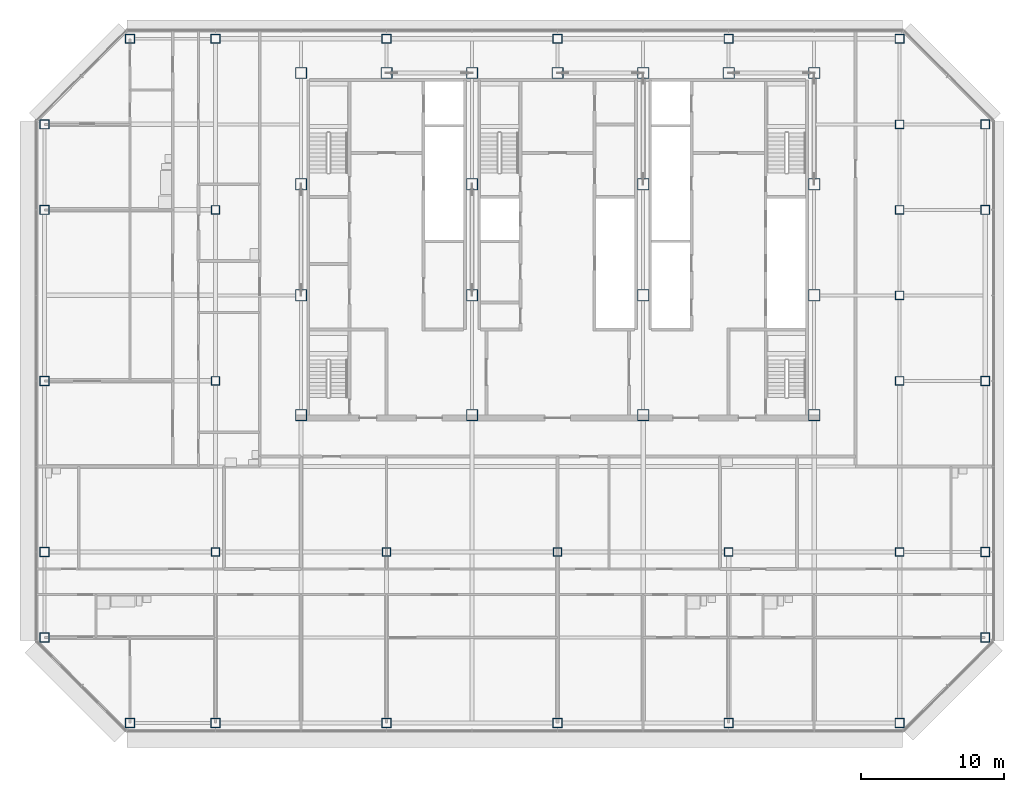
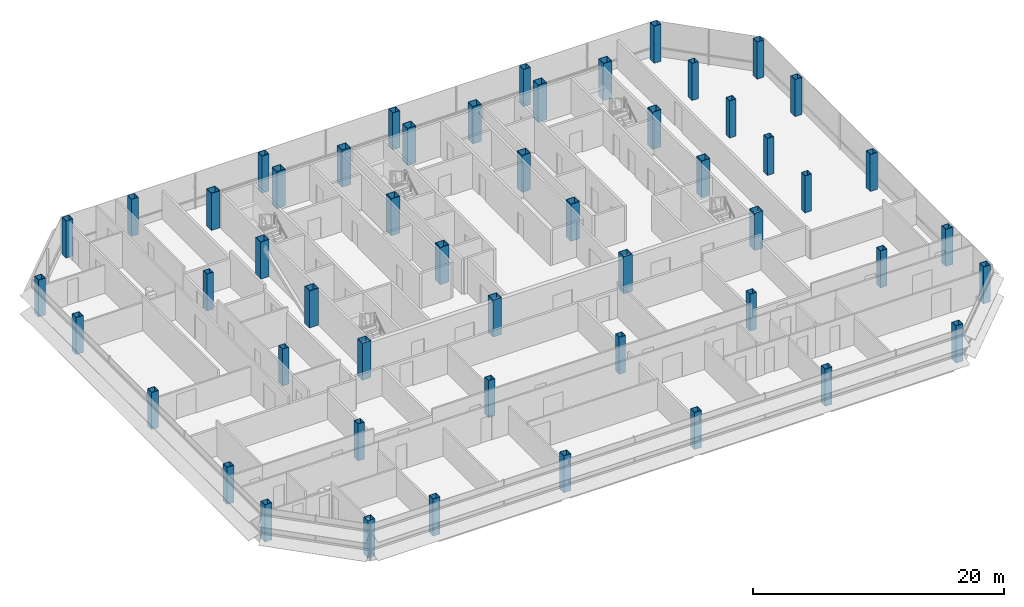
# One storey, part 1 of 27: 52 columns.
"""IFC4 building model written with IfcOpenShell, lengths in metres."""

from ifc_helpers import new_model, si_unit, direction, frame, origin, origin_2d, place, context, subcontext, project, spatial, hollow_rectangle, extrude, material, material_profile, profile_set, type_object, element, save


model = new_model("IFC4")

# Units and contexts
model_context = context("Model", 3, precision=1e-05, world=origin(), true_north=direction((0.0, 1.0)))
body_context = subcontext(model_context, "Body", "Model", "MODEL_VIEW")
ifc_project = project(units=[si_unit("LENGTHUNIT", "METRE"), si_unit("AREAUNIT", "SQUARE_METRE"), si_unit("VOLUMEUNIT", "CUBIC_METRE"), si_unit("PLANEANGLEUNIT", "RADIAN"), si_unit("MASSUNIT", "GRAM", prefix="KILO")], contexts=[model_context])

# Site, building, storey
site_placement = place(None, origin())
site = spatial("IfcSite", under=ifc_project, at=site_placement, CompositionType="ELEMENT")
building_placement = place(site_placement, origin())
building = spatial("IfcBuilding", under=site, at=building_placement, Name="Sorahane Residences", CompositionType="ELEMENT")
storey_placement = place(building_placement, frame((0.0, 0.0, 239.60009765625)))
storey = spatial("IfcBuildingStorey", under=building, at=storey_placement, Name="L56", CompositionType="ELEMENT", Elevation=239.60009765625)

# Columns
ifc_material_1 = material(Name="Steel Q355B", Category="steel")
ifc_material_profile_1 = material_profile(ifc_material_1, hollow_rectangle(XDim=0.60009765625, YDim=0.60009765625, WallThickness=0.028076171875, at=origin_2d()), Name="BOX 600x600x28")
ifc_profile_set_1 = profile_set([ifc_material_profile_1], Name="Steel Q355B")
column_type_1 = type_object("IfcColumnType", Name="Steel box column BOX 600x600x28 Q355B", PredefinedType="COLUMN", material=ifc_profile_set_1)
for number, where, z_axis, x_axis, name in (
    (1, (0.0, 12.0, 0.0), (0.0, 0.0, 1.0), (1.0, 0.0, 0.0), "Column L56 0/12"),
    (2, (0.0, 24.0, 0.0), (0.0, 0.0, 1.0), (1.0, 0.0, 0.0), "Column L56 0/24"),
    (3, (0.0, 36.0, 0.0), (0.0, 0.0, 1.0), (1.0, 0.0, 0.0), "Column L56 0/36"),
    (4, (12.0, 12.0, 0.0), (0.0, 0.0, 1.0), (1.0, 0.0, 0.0), "Column L56 12/12"),
    (5, (24.0, 12.0, 0.0), (0.0, 0.0, 1.0), (1.0, 0.0, 0.0), "Column L56 24/12"),
    (6, (36.0, 12.0, 0.0), (0.0, 0.0, 1.0), (1.0, 0.0, 0.0), "Column L56 36/12"),
    (7, (48.0, 12.0, 0.0), (0.0, 0.0, 1.0), (1.0, 0.0, 0.0), "Column L56 48/12"),
    (8, (48.0, 24.0, 0.0), (0.0, 0.0, 1.0), (1.0, 0.0, 0.0), "Column L56 48/24"),
    (9, (48.0, 30.0, 0.0), (0.0, 0.0, 1.0), (1.0, 0.0, 0.0), "Column L56 48/30"),
    (10, (48.0, 36.0, 0.0), (0.0, 0.0, 1.0), (1.0, 0.0, 0.0), "Column L56 48/36"),
    (11, (48.0, 42.0, 0.0), (0.0, 0.0, 1.0), (1.0, 0.0, 0.0), "Column L56 48/42"),
):
    element("IfcColumn", number, at=place(storey_placement, frame(where, z_axis=z_axis, x_axis=x_axis)), inside=storey, type_object=column_type_1, Name=name, PredefinedType="COLUMN", context=body_context, shape_type="SweptSolid", body=[
        extrude(hollow_rectangle(XDim=0.60009765625, YDim=0.60009765625, WallThickness=0.028076171875, at=origin_2d()), origin(), (0.0, 0.0, 1.0), 3.599853515625),
    ])
ifc_material_2 = material(Name="Steel Q355B", Category="steel")
ifc_material_profile_2 = material_profile(ifc_material_2, hollow_rectangle(XDim=0.64990234375, YDim=0.64990234375, WallThickness=0.031982421875, at=origin_2d()), Name="BOX 650x650x32")
ifc_profile_set_2 = profile_set([ifc_material_profile_2], Name="Steel Q355B")
column_type_2 = type_object("IfcColumnType", Name="Steel box column BOX 650x650x32 Q355B", PredefinedType="COLUMN", material=ifc_profile_set_2)
for number, where, z_axis, x_axis, name in (
    (12, (-12.0, 6.0, 0.0), (0.0, 0.0, 1.0), (1.0, 0.0, 0.0), "Column L56 m12/6"),
    (13, (-12.0, 12.0, 0.0), (0.0, 0.0, 1.0), (1.0, 0.0, 0.0), "Column L56 m12/12"),
    (14, (-12.0, 24.0, 0.0), (0.0, 0.0, 1.0), (1.0, 0.0, 0.0), "Column L56 m12/24"),
    (15, (-12.0, 36.0, 0.0), (0.0, 0.0, 1.0), (1.0, 0.0, 0.0), "Column L56 m12/36"),
    (16, (-12.0, 42.0, 0.0), (0.0, 0.0, 1.0), (1.0, 0.0, 0.0), "Column L56 m12/42"),
    (17, (-6.0, 0.0, 0.0), (0.0, 0.0, 1.0), (1.0, 0.0, 0.0), "Column L56 m6/0"),
    (18, (-6.0, 48.0, 0.0), (0.0, 0.0, 1.0), (1.0, 0.0, 0.0), "Column L56 m6/48"),
    (19, (0.0, 0.0, 0.0), (0.0, 0.0, 1.0), (1.0, 0.0, 0.0), "Column L56 0/0"),
    (20, (0.0, 48.0, 0.0), (0.0, 0.0, 1.0), (1.0, 0.0, 0.0), "Column L56 0/48"),
    (21, (12.0, 0.0, 0.0), (0.0, 0.0, 1.0), (1.0, 0.0, 0.0), "Column L56 12/0"),
    (22, (12.0, 48.0, 0.0), (0.0, 0.0, 1.0), (1.0, 0.0, 0.0), "Column L56 12/48"),
    (23, (24.0, 0.0, 0.0), (0.0, 0.0, 1.0), (1.0, 0.0, 0.0), "Column L56 24/0"),
    (24, (24.0, 48.0, 0.0), (0.0, 0.0, 1.0), (1.0, 0.0, 0.0), "Column L56 24/48"),
    (25, (36.0, 0.0, 0.0), (0.0, 0.0, 1.0), (1.0, 0.0, 0.0), "Column L56 36/0"),
    (26, (36.0, 48.0, 0.0), (0.0, 0.0, 1.0), (1.0, 0.0, 0.0), "Column L56 36/48"),
    (27, (48.0, 0.0, 0.0), (0.0, 0.0, 1.0), (1.0, 0.0, 0.0), "Column L56 48/0"),
    (28, (48.0, 48.0, 0.0), (0.0, 0.0, 1.0), (1.0, 0.0, 0.0), "Column L56 48/48"),
    (29, (54.0, 6.0, 0.0), (0.0, 0.0, 1.0), (1.0, 0.0, 0.0), "Column L56 54/6"),
    (30, (54.0, 12.0, 0.0), (0.0, 0.0, 1.0), (1.0, 0.0, 0.0), "Column L56 54/12"),
    (31, (54.0, 24.0, 0.0), (0.0, 0.0, 1.0), (1.0, 0.0, 0.0), "Column L56 54/24"),
    (32, (54.0, 36.0, 0.0), (0.0, 0.0, 1.0), (1.0, 0.0, 0.0), "Column L56 54/36"),
    (33, (54.0, 42.0, 0.0), (0.0, 0.0, 1.0), (1.0, 0.0, 0.0), "Column L56 54/42"),
):
    element("IfcColumn", number, at=place(storey_placement, frame(where, z_axis=z_axis, x_axis=x_axis)), inside=storey, type_object=column_type_2, Name=name, PredefinedType="COLUMN", context=body_context, shape_type="SweptSolid", body=[
        extrude(hollow_rectangle(XDim=0.64990234375, YDim=0.64990234375, WallThickness=0.031982421875, at=origin_2d()), origin(), (0.0, 0.0, 1.0), 3.599853515625),
    ])
ifc_material_3 = material(Name="Steel Q355B", Category="steel")
ifc_material_profile_3 = material_profile(ifc_material_3, hollow_rectangle(XDim=0.800048828125, YDim=0.800048828125, WallThickness=0.0400390625, at=origin_2d()), Name="BOX 800x800x40")
ifc_profile_set_3 = profile_set([ifc_material_profile_3], Name="Steel Q355B")
column_type_3 = type_object("IfcColumnType", Name="Steel box column BOX 800x800x40 Q355B", PredefinedType="COLUMN", material=ifc_profile_set_3)
for number, where, z_axis, x_axis, name in (
    (34, (6.0, 21.60009765625, 0.0), (0.0, 0.0, 1.0), (1.0, 0.0, 0.0), "Column L56 6/21.6"),
    (35, (6.0, 30.0, 0.0), (0.0, 0.0, 1.0), (1.0, 0.0, 0.0), "Column L56 6/30"),
    (36, (6.0, 37.800048828125, 0.0), (0.0, 0.0, 1.0), (1.0, 0.0, 0.0), "Column L56 6/37.8"),
    (37, (6.0, 45.60009765625, 0.0), (0.0, 0.0, 1.0), (1.0, 0.0, 0.0), "Column L56 6/45.6"),
    (38, (12.0, 45.60009765625, 0.0), (0.0, 0.0, 1.0), (1.0, 0.0, 0.0), "Column L56 12/45.6"),
    (39, (18.0, 21.60009765625, 0.0), (0.0, 0.0, 1.0), (1.0, 0.0, 0.0), "Column L56 18/21.6"),
    (40, (18.0, 30.0, 0.0), (0.0, 0.0, 1.0), (1.0, 0.0, 0.0), "Column L56 18/30"),
    (41, (18.0, 37.800048828125, 0.0), (0.0, 0.0, 1.0), (1.0, 0.0, 0.0), "Column L56 18/37.8"),
    (42, (18.0, 45.60009765625, 0.0), (0.0, 0.0, 1.0), (1.0, 0.0, 0.0), "Column L56 18/45.6"),
    (43, (24.0, 45.60009765625, 0.0), (0.0, 0.0, 1.0), (1.0, 0.0, 0.0), "Column L56 24/45.6"),
    (44, (30.0, 21.60009765625, 0.0), (0.0, 0.0, 1.0), (1.0, 0.0, 0.0), "Column L56 30/21.6"),
    (45, (30.0, 30.0, 0.0), (0.0, 0.0, 1.0), (1.0, 0.0, 0.0), "Column L56 30/30"),
    (46, (30.0, 37.800048828125, 0.0), (0.0, 0.0, 1.0), (1.0, 0.0, 0.0), "Column L56 30/37.8"),
    (47, (30.0, 45.60009765625, 0.0), (0.0, 0.0, 1.0), (1.0, 0.0, 0.0), "Column L56 30/45.6"),
    (48, (36.0, 45.60009765625, 0.0), (0.0, 0.0, 1.0), (1.0, 0.0, 0.0), "Column L56 36/45.6"),
    (49, (42.0, 21.60009765625, 0.0), (0.0, 0.0, 1.0), (1.0, 0.0, 0.0), "Column L56 42/21.6"),
    (50, (42.0, 30.0, 0.0), (0.0, 0.0, 1.0), (1.0, 0.0, 0.0), "Column L56 42/30"),
    (51, (42.0, 37.800048828125, 0.0), (0.0, 0.0, 1.0), (1.0, 0.0, 0.0), "Column L56 42/37.8"),
    (52, (42.0, 45.60009765625, 0.0), (0.0, 0.0, 1.0), (1.0, 0.0, 0.0), "Column L56 42/45.6"),
):
    element("IfcColumn", number, at=place(storey_placement, frame(where, z_axis=z_axis, x_axis=x_axis)), inside=storey, type_object=column_type_3, Name=name, PredefinedType="COLUMN", context=body_context, shape_type="SweptSolid", body=[
        extrude(hollow_rectangle(XDim=0.800048828125, YDim=0.800048828125, WallThickness=0.0400390625, at=origin_2d()), origin(), (0.0, 0.0, 1.0), 3.599853515625),
    ])

save(model, "model.ifc")
